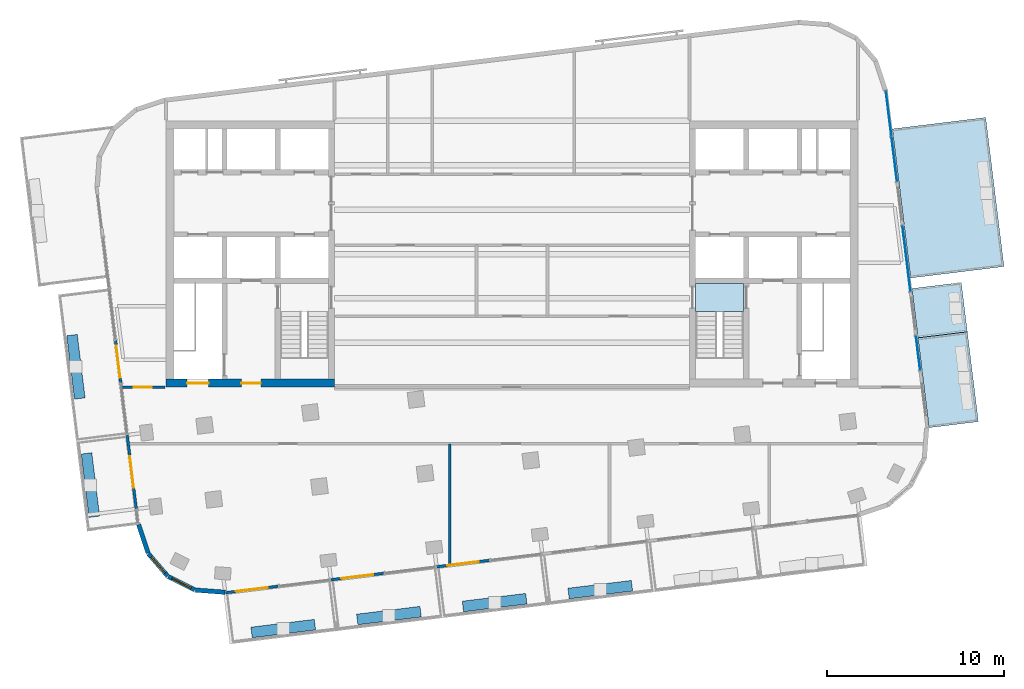
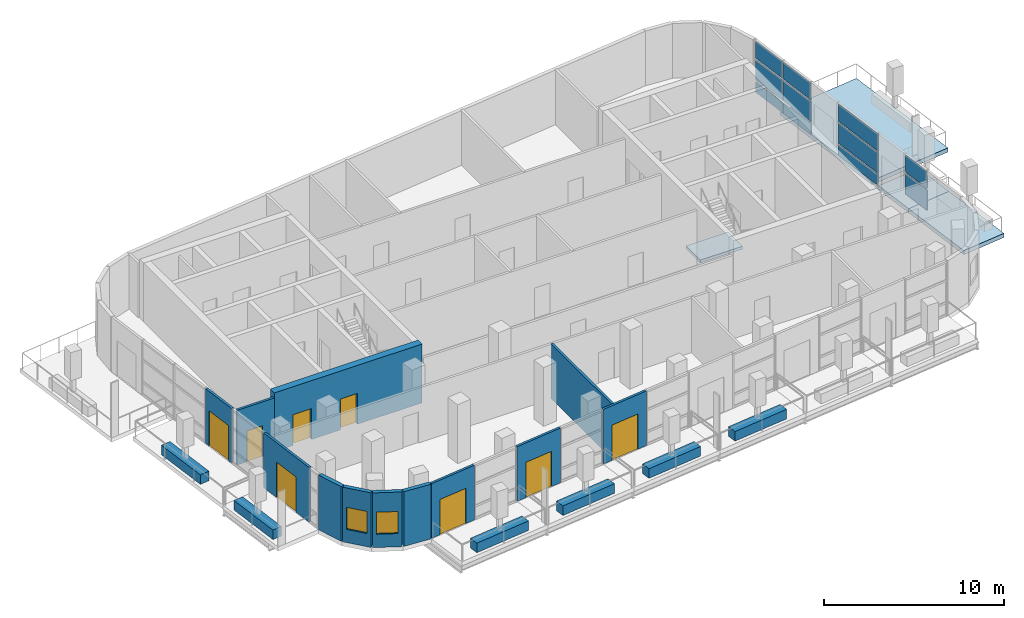
# One storey, part 6 of 13: 18 walls, 11 plates, 8 doors, 4 slabs, 2 windows, 10 openings, 4 elements without a shape of their own.
"""IFC4 building model written with IfcOpenShell, lengths in metres."""

from ifc_helpers import new_model, si_unit, direction, frame, frame_2d, origin, origin_2d, place, context, subcontext, project, spatial, polyline, rectangle, outline, extrude, material, layer, layer_set, type_object, element, fill, aggregate, save


model = new_model("IFC4")

# Units and contexts
model_context = context("Model", 3, precision=1e-05, world=origin(), true_north=direction((0.0, 1.0)))
body_context = subcontext(model_context, "Body", "Model", "MODEL_VIEW")
ifc_project = project(units=[si_unit("LENGTHUNIT", "METRE"), si_unit("AREAUNIT", "SQUARE_METRE"), si_unit("VOLUMEUNIT", "CUBIC_METRE"), si_unit("PLANEANGLEUNIT", "RADIAN"), si_unit("MASSUNIT", "GRAM", prefix="KILO")], contexts=[model_context])

# Site, building, storey
site_placement = place(None, origin())
site = spatial("IfcSite", under=ifc_project, at=site_placement, CompositionType="ELEMENT")
building_placement = place(site_placement, origin())
building = spatial("IfcBuilding", under=site, at=building_placement, Name="Torana Hotel and Residences", CompositionType="ELEMENT")
storey_placement = place(building_placement, frame((0.0, 0.0, 342.60009765625)))
storey = spatial("IfcBuildingStorey", under=building, at=storey_placement, Name="L90", CompositionType="ELEMENT", Elevation=342.60009765625)

# Slabs
ifc_material_1 = material(Name="Concrete C40/50", Category="concrete")
ifc_layer_1 = layer(ifc_material_1, 0.280029296875)
ifc_layer_set_1 = layer_set([ifc_layer_1], Name="BAL1 BALCONY SLAB 280")
slab_type_1 = type_object("IfcSlabType", Name="BAL1 BALCONY SLAB 280", PredefinedType="USERDEFINED", material=ifc_layer_set_1)
slab_1_placement = place(storey_placement, frame((0.0, 0.0, -0.280029296875)))
element("IfcSlab", 1, at=slab_1_placement, inside=storey, type_object=slab_type_1, Name="Balcony 10", ObjectType="BALCONY", PredefinedType="USERDEFINED", context=body_context, shape_type="SweptSolid", body=[
    extrude(outline(polyline([(23.502197265625, -17.286376953125), (26.281494140625, -16.945068359375), (25.659912109375, -11.88330078125), (22.880615234375, -12.224365234375), (23.502197265625, -17.286376953125)])), origin(), (0.0, 0.0, 1.0), 0.280029296875),
])
slab_2_placement = place(storey_placement, frame((0.0, 0.0, -0.280029296875)))
element("IfcSlab", 2, at=slab_2_placement, inside=storey, type_object=slab_type_1, Name="Balcony 11", ObjectType="BALCONY", PredefinedType="USERDEFINED", context=body_context, shape_type="SweptSolid", body=[
    extrude(outline(polyline([(22.880615234375, -12.224365234375), (25.659912109375, -11.88330078125), (25.318603515625, -9.104248046875), (22.53955078125, -9.445556640625), (22.880615234375, -12.224365234375)])), origin(), (0.0, 0.0, 1.0), 0.280029296875),
])
slab_3_placement = place(storey_placement, frame((0.0, 0.0, -0.280029296875)))
element("IfcSlab", 3, at=slab_3_placement, inside=storey, type_object=slab_type_1, Name="Balcony 12", ObjectType="BALCONY", PredefinedType="USERDEFINED", context=body_context, shape_type="SweptSolid", body=[
    extrude(outline(polyline([(22.46630859375, -8.85009765625), (27.726806640625, -8.2041015625), (26.695556640625, 0.19580078125), (21.43505859375, -0.449951171875), (22.46630859375, -8.85009765625)])), origin(), (0.0, 0.0, 1.0), 0.280029296875),
])

# Curtain wall, plates
ifc_material_2 = material(Name="Dark anodised aluminium", Category="aluminium")
ifc_layer_2 = layer(ifc_material_2, 0.199951171875)
ifc_layer_set_2 = layer_set([ifc_layer_2], Name="CW3 SKY CLUB UNITISED CURTAIN WALL")
curtain_wall_type = type_object("IfcCurtainWallType", Name="CW3 SKY CLUB UNITISED CURTAIN WALL", PredefinedType="NOTDEFINED", material=ifc_layer_set_2)
curtain_wall_1_placement = place(storey_placement, origin())
curtain_wall_1 = element("IfcCurtainWall", 4, at=curtain_wall_1_placement, inside=storey, type_object=curtain_wall_type, Name="Curtain wall CW3 L90 e0.19-2", PredefinedType="NOTDEFINED")
ifc_material_3 = material(Name="Glass dark tinted double glazed unit", Category="glass")
ifc_layer_3 = layer(ifc_material_3, 0.031982421875)
ifc_layer_set_3 = layer_set([ifc_layer_3], Name="CW3 DARK GLASS PANEL 32")
plate_type = type_object("IfcPlateType", Name="CW3 DARK GLASS PANEL 32", PredefinedType="CURTAIN_PANEL", material=ifc_layer_set_3)
plate_1_placement = place(storey_placement, frame((22.885009765625, -13.080322265625, 0.9599609375), z_axis=(0.0, 0.0, 1.0), x_axis=(-0.121912701141, 0.992540827019, 0.0)))
plate_1 = element("IfcPlate", 5, at=plate_1_placement, type_object=plate_type, Name="CW3 panel 1.2", PredefinedType="CURTAIN_PANEL", context=body_context, shape_type="SweptSolid", body=[
    extrude(rectangle(XDim=1.9599609375, YDim=0.031982421875, at=origin_2d()), origin(), (0.0, 0.0, 1.0), 1.3798828125),
])
plate_2_placement = place(storey_placement, frame((22.885009765625, -13.080322265625, 2.4599609375), z_axis=(0.0, 0.0, 1.0), x_axis=(-0.121912701141, 0.992540827019, 0.0)))
plate_2 = element("IfcPlate", 6, at=plate_2_placement, type_object=plate_type, Name="CW3 panel 1.3", PredefinedType="CURTAIN_PANEL", context=body_context, shape_type="SweptSolid", body=[
    extrude(rectangle(XDim=1.9599609375, YDim=0.031982421875, at=origin_2d()), origin(), (0.0, 0.0, 1.0), 1.139892578125),
])
aggregate(curtain_wall_1, [plate_1, plate_2])

curtain_wall_2_placement = place(storey_placement, origin())
curtain_wall_2 = element("IfcCurtainWall", 7, at=curtain_wall_2_placement, inside=storey, type_object=curtain_wall_type, Name="Curtain wall CW3 L90 e0.19-4", PredefinedType="NOTDEFINED")
plate_3_placement = place(storey_placement, frame((22.231201171875, -7.754638671875, 0.1201171875), z_axis=(0.0, 0.0, 1.0), x_axis=(-0.121885437403, 0.992544175414, 0.0)))
plate_3 = element("IfcPlate", 8, at=plate_3_placement, type_object=plate_type, Name="CW3 panel 1.1", PredefinedType="CURTAIN_PANEL", context=body_context, shape_type="SweptSolid", body=[
    extrude(rectangle(XDim=3.69140625, YDim=0.031982421875, at=origin_2d()), origin(), (0.0, 0.0, 1.0), 0.719970703125),
])
plate_4_placement = place(storey_placement, frame((22.231201171875, -7.754638671875, 0.9599609375), z_axis=(0.0, 0.0, 1.0), x_axis=(-0.121885437403, 0.992544175414, 0.0)))
plate_4 = element("IfcPlate", 9, at=plate_4_placement, type_object=plate_type, Name="CW3 panel 1.2", PredefinedType="CURTAIN_PANEL", context=body_context, shape_type="SweptSolid", body=[
    extrude(rectangle(XDim=3.69140625, YDim=0.031982421875, at=origin_2d()), origin(), (0.0, 0.0, 1.0), 1.3798828125),
])
plate_5_placement = place(storey_placement, frame((22.231201171875, -7.754638671875, 2.4599609375), z_axis=(0.0, 0.0, 1.0), x_axis=(-0.121885437403, 0.992544175414, 0.0)))
plate_5 = element("IfcPlate", 10, at=plate_5_placement, type_object=plate_type, Name="CW3 panel 1.3", PredefinedType="CURTAIN_PANEL", context=body_context, shape_type="SweptSolid", body=[
    extrude(rectangle(XDim=3.69140625, YDim=0.031982421875, at=origin_2d()), origin(), (0.0, 0.0, 1.0), 1.139892578125),
])
aggregate(curtain_wall_2, [plate_3, plate_4, plate_5])

curtain_wall_3_placement = place(storey_placement, origin())
curtain_wall_3 = element("IfcCurtainWall", 11, at=curtain_wall_3_placement, inside=storey, type_object=curtain_wall_type, Name="Curtain wall CW3 L90 e0.19-6", PredefinedType="NOTDEFINED")
plate_6_placement = place(storey_placement, frame((21.543212890625, -2.152587890625, 0.1201171875), z_axis=(0.0, 0.0, 1.0), x_axis=(-0.121870538273, 0.992546004929, 0.0)))
plate_6 = element("IfcPlate", 12, at=plate_6_placement, type_object=plate_type, Name="CW3 panel 1.1", PredefinedType="CURTAIN_PANEL", context=body_context, shape_type="SweptSolid", body=[
    extrude(rectangle(XDim=2.51708984375, YDim=0.031982421875, at=origin_2d()), origin(), (0.0, 0.0, 1.0), 0.719970703125),
])
plate_7_placement = place(storey_placement, frame((21.543212890625, -2.152587890625, 0.9599609375), z_axis=(0.0, 0.0, 1.0), x_axis=(-0.121870538273, 0.992546004929, 0.0)))
plate_7 = element("IfcPlate", 13, at=plate_7_placement, type_object=plate_type, Name="CW3 panel 1.2", PredefinedType="CURTAIN_PANEL", context=body_context, shape_type="SweptSolid", body=[
    extrude(rectangle(XDim=2.51708984375, YDim=0.031982421875, at=origin_2d()), origin(), (0.0, 0.0, 1.0), 1.3798828125),
])
plate_8_placement = place(storey_placement, frame((21.543212890625, -2.152587890625, 2.4599609375), z_axis=(0.0, 0.0, 1.0), x_axis=(-0.121870538273, 0.992546004929, 0.0)))
plate_8 = element("IfcPlate", 14, at=plate_8_placement, type_object=plate_type, Name="CW3 panel 1.3", PredefinedType="CURTAIN_PANEL", context=body_context, shape_type="SweptSolid", body=[
    extrude(rectangle(XDim=2.51708984375, YDim=0.031982421875, at=origin_2d()), origin(), (0.0, 0.0, 1.0), 1.139892578125),
])
plate_9_placement = place(storey_placement, frame((21.22802734375, 0.415283203125, 0.1201171875), z_axis=(0.0, 0.0, 1.0), x_axis=(-0.121870538273, 0.992546004929, 0.0)))
plate_9 = element("IfcPlate", 15, at=plate_9_placement, type_object=plate_type, Name="CW3 panel 2.1", PredefinedType="CURTAIN_PANEL", context=body_context, shape_type="SweptSolid", body=[
    extrude(rectangle(XDim=2.51708984375, YDim=0.031982421875, at=origin_2d()), origin(), (0.0, 0.0, 1.0), 0.719970703125),
])
plate_10_placement = place(storey_placement, frame((21.22802734375, 0.415283203125, 0.9599609375), z_axis=(0.0, 0.0, 1.0), x_axis=(-0.121870538273, 0.992546004929, 0.0)))
plate_10 = element("IfcPlate", 16, at=plate_10_placement, type_object=plate_type, Name="CW3 panel 2.2", PredefinedType="CURTAIN_PANEL", context=body_context, shape_type="SweptSolid", body=[
    extrude(rectangle(XDim=2.51708984375, YDim=0.031982421875, at=origin_2d()), origin(), (0.0, 0.0, 1.0), 1.3798828125),
])
plate_11_placement = place(storey_placement, frame((21.22802734375, 0.415283203125, 2.4599609375), z_axis=(0.0, 0.0, 1.0), x_axis=(-0.121870538273, 0.992546004929, 0.0)))
plate_11 = element("IfcPlate", 17, at=plate_11_placement, type_object=plate_type, Name="CW3 panel 2.3", PredefinedType="CURTAIN_PANEL", context=body_context, shape_type="SweptSolid", body=[
    extrude(rectangle(XDim=2.51708984375, YDim=0.031982421875, at=origin_2d()), origin(), (0.0, 0.0, 1.0), 1.139892578125),
])
aggregate(curtain_wall_3, [plate_6, plate_7, plate_8, plate_9, plate_10, plate_11])

# Stair, slab
ifc_material_4 = material(Name="Concrete C40/50 precast", Category="concrete")
stair_type = type_object("IfcStairType", Name="STAIR ST3 HALF TURN 1200", PredefinedType="HALF_TURN_STAIR", material=ifc_material_4)
stair_placement = place(storey_placement, origin())
stair = element("IfcStair", 18, at=stair_placement, inside=storey, type_object=stair_type, Name="Stair ST3 L90", PredefinedType="HALF_TURN_STAIR")
ifc_material_5 = material(Name="Concrete C40/50 precast", Category="concrete")
ifc_layer_4 = layer(ifc_material_5, 0.199951171875)
ifc_layer_set_4 = layer_set([ifc_layer_4], Name="STAIR LANDING 200")
slab_type_2 = type_object("IfcSlabType", Name="STAIR LANDING 200", PredefinedType="LANDING", material=ifc_layer_set_4)
slab_4_placement = place(storey_placement, frame((0.0, 0.0, -0.2001953125)))
slab_4 = element("IfcSlab", 19, at=slab_4_placement, type_object=slab_type_2, Name="ST3 landing 2", PredefinedType="LANDING", context=body_context, shape_type="SweptSolid", body=[
    extrude(outline(polyline([(10.35009765625, -10.75), (13.050048828125, -10.75), (13.050048828125, -9.14990234375), (10.35009765625, -9.14990234375), (10.35009765625, -10.75)])), origin(), (0.0, 0.0, 1.0), 0.2001953125),
])
aggregate(stair, [slab_4])

# Wall, openings, doors
ifc_material_6 = material(Name="Concrete C60/75", Category="concrete")
ifc_layer_5 = layer(ifc_material_6, 0.449951171875)
ifc_layer_set_5 = layer_set([ifc_layer_5], Name="CORE WALL 450 C60/75")
wall_type_1 = type_object("IfcWallType", Name="CORE WALL 450 C60/75", PredefinedType="SHEAR", material=ifc_layer_set_5)
wall_1_placement = place(storey_placement, frame((-19.5, -14.77490234375, 0.0), z_axis=(0.0, 0.0, 1.0), x_axis=(1.0, 0.0, 0.0)))
wall_1 = element("IfcWall", 20, at=wall_1_placement, inside=storey, type_object=wall_type_1, Name="Core wall W front", PredefinedType="SHEAR", context=body_context, shape_type="SweptSolid", body=[
    extrude(rectangle(XDim=9.5, YDim=0.449951171875, at=frame_2d((4.75, 0.0))), origin(), (0.0, 0.0, 1.0), 4.0),
])
opening_1_placement = place(wall_1_placement, frame((1.199951171875, 0.0, 0.0)))
opening_1 = element("IfcOpeningElement", 21, at=opening_1_placement, cuts=wall_1, Name="Opening L90-04", PredefinedType="OPENING", context=body_context, shape_type="SweptSolid", body=[
    extrude(rectangle(XDim=1.199951171875, YDim=2.10009765625, at=frame_2d((0.60009765625, 1.050048828125))), frame((0.0, 0.23486328125, 0.0), z_axis=(0.0, -1.0, 0.0), x_axis=(1.0, 0.0, 0.0)), (0.0, 0.0, 1.0), 0.469970703125),
])
opening_2_placement = place(wall_1_placement, frame((4.25, 0.0, 0.0)))
opening_2 = element("IfcOpeningElement", 22, at=opening_2_placement, cuts=wall_1, Name="Opening L90-05", PredefinedType="OPENING", context=body_context, shape_type="SweptSolid", body=[
    extrude(rectangle(XDim=1.10009765625, YDim=2.10009765625, at=frame_2d((0.550048828125, 1.050048828125))), frame((0.0, 0.23486328125, 0.0), z_axis=(0.0, -1.0, 0.0), x_axis=(1.0, 0.0, 0.0)), (0.0, 0.0, 1.0), 0.469970703125),
])
ifc_material_7 = material(Name="Steel S235", Category="steel")
door_type_1 = type_object("IfcDoorType", Name="FIRE-FIGHTING LOBBY DOOR D8 1100x2100", OperationType="SINGLE_SWING_LEFT", PredefinedType="DOOR", material=ifc_material_7)
door_1_placement = place(opening_2_placement, origin())
door_1 = element("IfcDoor", 23, at=door_1_placement, inside=storey, type_object=door_type_1, Name="FF-lobby door L90", OperationType="SINGLE_SWING_RIGHT", OverallHeight=2.10009765625, OverallWidth=1.10009765625, PredefinedType="DOOR", context=body_context, shape_type="SweptSolid", body=[
    extrude(rectangle(XDim=1.10009765625, YDim=2.10009765625, at=frame_2d((0.550048828125, 1.050048828125))), frame((0.0, 0.02490234375, 0.0), z_axis=(0.0, -1.0, 0.0), x_axis=(1.0, 0.0, 0.0)), (0.0, 0.0, 1.0), 0.050048828125),
])
fill(opening_2, door_1)
ifc_material_8 = material(Name="Steel S235", Category="steel")
door_type_2 = type_object("IfcDoorType", Name="STAIR FIRE DOOR D3 1200x2100", OperationType="SINGLE_SWING_LEFT", PredefinedType="DOOR", material=ifc_material_8)
door_2_placement = place(opening_1_placement, origin())
door_2 = element("IfcDoor", 24, at=door_2_placement, inside=storey, type_object=door_type_2, Name="Stair-B door L90", OperationType="SINGLE_SWING_RIGHT", OverallHeight=2.10009765625, OverallWidth=1.199951171875, PredefinedType="DOOR", context=body_context, shape_type="SweptSolid", body=[
    extrude(rectangle(XDim=1.199951171875, YDim=2.10009765625, at=frame_2d((0.60009765625, 1.050048828125))), frame((0.0, 0.02490234375, 0.0), z_axis=(0.0, -1.0, 0.0), x_axis=(1.0, 0.0, 0.0)), (0.0, 0.0, 1.0), 0.050048828125),
])
fill(opening_1, door_2)

# Wall
ifc_material_9 = material(Name="Black aluminium composite panel", Category="aluminium")
ifc_layer_6 = layer(ifc_material_9, 0.00390625, Name="Cladding", Category="cladding")
ifc_material_10 = material(Name="Ventilated air cavity")
ifc_layer_7 = layer(ifc_material_10, 0.0400390625, Name="Ventilated cavity", Category="cavity")
ifc_material_11 = material(Name="Mineral wool insulation")
ifc_layer_8 = layer(ifc_material_11, 0.090087890625, Name="Insulation", Category="insulation")
ifc_material_12 = material(Name="Steel S280GD", Category="steel")
ifc_layer_9 = layer(ifc_material_12, 0.092041015625, Name="Steel stud frame", Category="structure")
ifc_material_13 = material(Name="Fire rated plasterboard")
ifc_layer_10 = layer(ifc_material_13, 0.011962890625, Name="Inner board", Category="finish")
ifc_layer_11 = layer(ifc_material_13, 0.011962890625, Name="Second board", Category="finish")
ifc_layer_set_6 = layer_set([ifc_layer_6, ifc_layer_7, ifc_layer_8, ifc_layer_9, ifc_layer_10, ifc_layer_11], Name="EW1 EXTERNAL WALL BLACK METAL CLAD 250")
wall_type_2 = type_object("IfcWallType", Name="EW1 EXTERNAL WALL BLACK METAL CLAD 250", PredefinedType="SOLIDWALL", material=ifc_layer_set_6)
wall_2_placement = place(storey_placement, frame((-21.035888671875, -22.754638671875, 0.0), z_axis=(0.0, 0.0, 1.0), x_axis=(0.313046160822, -0.949737911844, 0.0)))
element("IfcWall", 25, at=wall_2_placement, inside=storey, type_object=wall_type_2, Name="External wall L90 e0.10", PredefinedType="SOLIDWALL", context=body_context, shape_type="SweptSolid", body=[
    extrude(rectangle(XDim=1.681396484375, YDim=0.25, at=frame_2d((0.8408203125, 0.0))), origin(), (0.0, 0.0, 1.0), 3.719970703125),
])

# Wall, opening, window
wall_3_placement = place(storey_placement, frame((-20.4853515625, -24.39404296875, 0.0), z_axis=(0.0, 0.0, 1.0), x_axis=(0.652755886531, -0.757568315466, 0.0)))
wall_3 = element("IfcWall", 26, at=wall_3_placement, inside=storey, type_object=wall_type_2, Name="External wall L90 e0.11", PredefinedType="SOLIDWALL", context=body_context, shape_type="SweptSolid", body=[
    extrude(rectangle(XDim=1.65625, YDim=0.25, at=frame_2d((0.828125, 0.0))), origin(), (0.0, 0.0, 1.0), 3.719970703125),
])
opening_3_placement = place(wall_3_placement, frame((0.228271484375, 0.0, 0.89990234375)))
opening_3 = element("IfcOpeningElement", 27, at=opening_3_placement, cuts=wall_3, Name="Opening W5", PredefinedType="OPENING", context=body_context, shape_type="SweptSolid", body=[
    extrude(rectangle(XDim=1.199951171875, YDim=1.5, at=frame_2d((0.60009765625, 0.75))), frame((0.0, 0.135009765625, 0.0), z_axis=(0.0, -1.0, 0.0), x_axis=(1.0, 0.0, 0.0)), (0.0, 0.0, 1.0), 0.27001953125),
])
ifc_material_14 = material(Name="Dark glass in black aluminium frame", Category="aluminium")
window_type = type_object("IfcWindowType", Name="W5 CORNER FACET WINDOW 1200x1500", PartitioningType="SINGLE_PANEL", PredefinedType="WINDOW", material=ifc_material_14)
window_1_placement = place(opening_3_placement, origin())
window_1 = element("IfcWindow", 28, at=window_1_placement, inside=storey, type_object=window_type, Name="Window L90 e0.11", OverallHeight=1.5, OverallWidth=1.199951171875, PartitioningType="SINGLE_PANEL", PredefinedType="WINDOW", context=body_context, shape_type="SweptSolid", body=[
    extrude(rectangle(XDim=1.199951171875, YDim=1.5, at=frame_2d((0.60009765625, 0.75))), frame((0.0, 0.030029296875, 0.0), z_axis=(0.0, -1.0, 0.0), x_axis=(1.0, 0.0, 0.0)), (0.0, 0.0, 1.0), 0.06005859375),
])
fill(opening_3, window_1)

wall_4_placement = place(storey_placement, frame((-19.36572265625, -25.678955078125, 0.0), z_axis=(0.0, 0.0, 1.0), x_axis=(0.893007580524, -0.450041621549, 0.0)))
wall_4 = element("IfcWall", 29, at=wall_4_placement, inside=storey, type_object=wall_type_2, Name="External wall L90 e0.12", PredefinedType="SOLIDWALL", context=body_context, shape_type="SweptSolid", body=[
    extrude(rectangle(XDim=1.65625, YDim=0.25, at=frame_2d((0.828125, 0.0))), origin(), (0.0, 0.0, 1.0), 3.719970703125),
])
opening_4_placement = place(wall_4_placement, frame((0.228271484375, 0.0, 0.89990234375)))
opening_4 = element("IfcOpeningElement", 30, at=opening_4_placement, cuts=wall_4, Name="Opening W5", PredefinedType="OPENING", context=body_context, shape_type="SweptSolid", body=[
    extrude(rectangle(XDim=1.199951171875, YDim=1.5, at=frame_2d((0.60009765625, 0.75))), frame((0.0, 0.135009765625, 0.0), z_axis=(0.0, -1.0, 0.0), x_axis=(1.0, 0.0, 0.0)), (0.0, 0.0, 1.0), 0.27001953125),
])
window_2_placement = place(opening_4_placement, origin())
window_2 = element("IfcWindow", 31, at=window_2_placement, inside=storey, type_object=window_type, Name="Window L90 e0.12", OverallHeight=1.5, OverallWidth=1.199951171875, PartitioningType="SINGLE_PANEL", PredefinedType="WINDOW", context=body_context, shape_type="SweptSolid", body=[
    extrude(rectangle(XDim=1.199951171875, YDim=1.5, at=frame_2d((0.60009765625, 0.75))), frame((0.0, 0.030029296875, 0.0), z_axis=(0.0, -1.0, 0.0), x_axis=(1.0, 0.0, 0.0)), (0.0, 0.0, 1.0), 0.06005859375),
])
fill(opening_4, window_2)

# Wall
wall_5_placement = place(storey_placement, frame((-17.839599609375, -26.4375, 0.0), z_axis=(0.0, 0.0, 1.0), x_axis=(0.997254267475, -0.074053534713, 0.0)))
element("IfcWall", 32, at=wall_5_placement, inside=storey, type_object=wall_type_2, Name="External wall L90 e0.13", PredefinedType="SOLIDWALL", context=body_context, shape_type="SweptSolid", body=[
    extrude(rectangle(XDim=1.681396484375, YDim=0.25, at=frame_2d((0.8408203125, 0.0))), origin(), (0.0, 0.0, 1.0), 3.719970703125),
])

# Wall, opening, door
ifc_material_15 = material(Name="Gypsum plaster")
ifc_layer_12 = layer(ifc_material_15, 0.014892578125, Name="Plaster", Category="finish")
ifc_material_16 = material(Name="Concrete blockwork", Category="masonry")
ifc_layer_13 = layer(ifc_material_16, 0.1201171875, Name="Blockwork", Category="structure")
ifc_layer_14 = layer(ifc_material_15, 0.014892578125, Name="Plaster", Category="finish")
ifc_layer_set_7 = layer_set([ifc_layer_12, ifc_layer_13, ifc_layer_14], Name="FIRE PARTITION 150 BLOCKWORK")
wall_type_3 = type_object("IfcWallType", Name="FIRE PARTITION 150 BLOCKWORK", PredefinedType="PARTITIONING", material=ifc_layer_set_7)
wall_6_placement = place(storey_placement, frame((-21.93505859375, -15.0, 0.0), z_axis=(0.0, 0.0, 1.0), x_axis=(1.0, 0.0, 0.0)))
wall_6 = element("IfcWall", 33, at=wall_6_placement, inside=storey, type_object=wall_type_3, Name="Partition L90", PredefinedType="PARTITIONING", context=body_context, shape_type="SweptSolid", body=[
    extrude(rectangle(XDim=2.385009765625, YDim=0.14990234375, at=frame_2d((1.1923828125, 0.0))), origin(), (0.0, 0.0, 1.0), 3.719970703125),
])
opening_5_placement = place(wall_6_placement, frame((0.626953125, 0.0, 0.0)))
opening_5 = element("IfcOpeningElement", 34, at=opening_5_placement, cuts=wall_6, Name="Opening L90-24", PredefinedType="OPENING", context=body_context, shape_type="SweptSolid", body=[
    extrude(rectangle(XDim=1.0, YDim=2.10009765625, at=frame_2d((0.5, 1.050048828125))), frame((0.0, 0.0849609375, 0.0), z_axis=(0.0, -1.0, 0.0), x_axis=(1.0, 0.0, 0.0)), (0.0, 0.0, 1.0), 0.169921875),
])
ifc_material_17 = material(Name="Steel S235", Category="steel")
door_type_3 = type_object("IfcDoorType", Name="CORE ROOM FIRE DOOR D14 1000x2100", OperationType="SINGLE_SWING_LEFT", PredefinedType="DOOR", material=ifc_material_17)
door_3_placement = place(opening_5_placement, origin())
door_3 = element("IfcDoor", 35, at=door_3_placement, inside=storey, type_object=door_type_3, Name="Door L90", OperationType="SINGLE_SWING_RIGHT", OverallHeight=2.10009765625, OverallWidth=1.0, PredefinedType="DOOR", context=body_context, shape_type="SweptSolid", body=[
    extrude(rectangle(XDim=1.0, YDim=2.10009765625, at=frame_2d((0.5, 1.050048828125))), frame((0.0, 0.02490234375, 0.0), z_axis=(0.0, -1.0, 0.0), x_axis=(1.0, 0.0, 0.0)), (0.0, 0.0, 1.0), 0.050048828125),
])
fill(opening_5, door_3)

ifc_material_18 = material(Name="Dark glass screen in aluminium frame", Category="aluminium")
ifc_layer_15 = layer(ifc_material_18, 0.14990234375)
ifc_layer_set_8 = layer_set([ifc_layer_15], Name="GS1 GLAZED DOOR SCREEN 150")
wall_type_4 = type_object("IfcWallType", Name="GS1 GLAZED DOOR SCREEN 150", PredefinedType="USERDEFINED", material=ifc_layer_set_8)
wall_7_placement = place(storey_placement, frame((-22.338134765625, -12.373779296875, 0.0), z_axis=(0.0, 0.0, 1.0), x_axis=(0.121868445399, -0.992546261902, 0.0)))
wall_7 = element("IfcWall", 36, at=wall_7_placement, inside=storey, type_object=wall_type_4, Name="Glazed door screen L90", ObjectType="GLAZED SCREEN", PredefinedType="USERDEFINED", context=body_context, shape_type="SweptSolid", body=[
    extrude(rectangle(XDim=2.39990234375, YDim=0.14990234375, at=frame_2d((1.199951171875, 0.0))), origin(), (0.0, 0.0, 1.0), 3.719970703125),
])
opening_6_placement = place(wall_7_placement, frame((0.300048828125, 0.0, 0.0)))
opening_6 = element("IfcOpeningElement", 37, at=opening_6_placement, cuts=wall_7, Name="Opening L90-E02", PredefinedType="OPENING", context=body_context, shape_type="SweptSolid", body=[
    extrude(rectangle(XDim=1.800048828125, YDim=2.39990234375, at=frame_2d((0.89990234375, 1.199951171875))), frame((0.0, 0.0849609375, 0.0), z_axis=(0.0, -1.0, 0.0), x_axis=(1.0, 0.0, 0.0)), (0.0, 0.0, 1.0), 0.169921875),
])
ifc_material_19 = material(Name="Dark glass in black aluminium frame", Category="aluminium")
door_type_4 = type_object("IfcDoorType", Name="DB1 BALCONY DOOR 1800x2400", OperationType="DOUBLE_DOOR_SINGLE_SWING", PredefinedType="DOOR", material=ifc_material_19)
door_4_placement = place(opening_6_placement, origin())
door_4 = element("IfcDoor", 38, at=door_4_placement, inside=storey, type_object=door_type_4, Name="Balcony door L90", OperationType="DOUBLE_DOOR_SINGLE_SWING", OverallHeight=2.39990234375, OverallWidth=1.800048828125, PredefinedType="DOOR", context=body_context, shape_type="SweptSolid", body=[
    extrude(rectangle(XDim=1.800048828125, YDim=2.39990234375, at=frame_2d((0.89990234375, 1.199951171875))), frame((0.0, 0.02490234375, 0.0), z_axis=(0.0, -1.0, 0.0), x_axis=(1.0, 0.0, 0.0)), (0.0, 0.0, 1.0), 0.050048828125),
])
fill(opening_6, door_4)

wall_8_placement = place(storey_placement, frame((-21.6845703125, -17.6962890625, 0.0), z_axis=(0.0, 0.0, 1.0), x_axis=(0.121895320106, -0.992542961758, 0.0)))
wall_8 = element("IfcWall", 39, at=wall_8_placement, inside=storey, type_object=wall_type_4, Name="Glazed door screen L90", ObjectType="GLAZED SCREEN", PredefinedType="USERDEFINED", context=body_context, shape_type="SweptSolid", body=[
    extrude(rectangle(XDim=4.199951171875, YDim=0.14990234375, at=frame_2d((2.10009765625, 0.0))), origin(), (0.0, 0.0, 1.0), 3.719970703125),
])
opening_7_placement = place(wall_8_placement, frame((1.199951171875, 0.0, 0.0)))
opening_7 = element("IfcOpeningElement", 40, at=opening_7_placement, cuts=wall_8, Name="Opening L90-E03", PredefinedType="OPENING", context=body_context, shape_type="SweptSolid", body=[
    extrude(rectangle(XDim=1.800048828125, YDim=2.39990234375, at=frame_2d((0.89990234375, 1.199951171875))), frame((0.0, 0.0849609375, 0.0), z_axis=(0.0, -1.0, 0.0), x_axis=(1.0, 0.0, 0.0)), (0.0, 0.0, 1.0), 0.169921875),
])
door_5_placement = place(opening_7_placement, origin())
door_5 = element("IfcDoor", 41, at=door_5_placement, inside=storey, type_object=door_type_4, Name="Balcony door L90", OperationType="DOUBLE_DOOR_SINGLE_SWING", OverallHeight=2.39990234375, OverallWidth=1.800048828125, PredefinedType="DOOR", context=body_context, shape_type="SweptSolid", body=[
    extrude(rectangle(XDim=1.800048828125, YDim=2.39990234375, at=frame_2d((0.89990234375, 1.199951171875))), frame((0.0, 0.02490234375, 0.0), z_axis=(0.0, -1.0, 0.0), x_axis=(1.0, 0.0, 0.0)), (0.0, 0.0, 1.0), 0.050048828125),
])
fill(opening_7, door_5)

wall_9_placement = place(storey_placement, frame((-16.13525390625, -26.586181640625, 0.0), z_axis=(0.0, 0.0, 1.0), x_axis=(0.992549375183, 0.121843086893, 0.0)))
wall_9 = element("IfcWall", 42, at=wall_9_placement, inside=storey, type_object=wall_type_4, Name="Glazed door screen L90", ObjectType="GLAZED SCREEN", PredefinedType="USERDEFINED", context=body_context, shape_type="SweptSolid", body=[
    extrude(rectangle(XDim=2.9755859375, YDim=0.14990234375, at=frame_2d((1.48779296875, 0.0))), origin(), (0.0, 0.0, 1.0), 3.719970703125),
])
opening_8_placement = place(wall_9_placement, frame((0.587646484375, 0.0, 0.0)))
opening_8 = element("IfcOpeningElement", 43, at=opening_8_placement, cuts=wall_9, Name="Opening L90-E04", PredefinedType="OPENING", context=body_context, shape_type="SweptSolid", body=[
    extrude(rectangle(XDim=1.800048828125, YDim=2.39990234375, at=frame_2d((0.89990234375, 1.199951171875))), frame((0.0, 0.0849609375, 0.0), z_axis=(0.0, -1.0, 0.0), x_axis=(1.0, 0.0, 0.0)), (0.0, 0.0, 1.0), 0.169921875),
])
door_6_placement = place(opening_8_placement, origin())
door_6 = element("IfcDoor", 44, at=door_6_placement, inside=storey, type_object=door_type_4, Name="Balcony door L90", OperationType="DOUBLE_DOOR_SINGLE_SWING", OverallHeight=2.39990234375, OverallWidth=1.800048828125, PredefinedType="DOOR", context=body_context, shape_type="SweptSolid", body=[
    extrude(rectangle(XDim=1.800048828125, YDim=2.39990234375, at=frame_2d((0.89990234375, 1.199951171875))), frame((0.0, 0.02490234375, 0.0), z_axis=(0.0, -1.0, 0.0), x_axis=(1.0, 0.0, 0.0)), (0.0, 0.0, 1.0), 0.050048828125),
])
fill(opening_8, door_6)

wall_10_placement = place(storey_placement, frame((-10.204345703125, -25.85791015625, 0.0), z_axis=(0.0, 0.0, 1.0), x_axis=(0.99255088108, 0.121830819037, 0.0)))
wall_10 = element("IfcWall", 45, at=wall_10_placement, inside=storey, type_object=wall_type_4, Name="Glazed door screen L90", ObjectType="GLAZED SCREEN", PredefinedType="USERDEFINED", context=body_context, shape_type="SweptSolid", body=[
    extrude(rectangle(XDim=3.0, YDim=0.14990234375, at=frame_2d((1.5, 0.0))), origin(), (0.0, 0.0, 1.0), 3.719970703125),
])
opening_9_placement = place(wall_10_placement, frame((0.60009765625, 0.0, 0.0)))
opening_9 = element("IfcOpeningElement", 46, at=opening_9_placement, cuts=wall_10, Name="Opening L90-E05", PredefinedType="OPENING", context=body_context, shape_type="SweptSolid", body=[
    extrude(rectangle(XDim=1.800048828125, YDim=2.39990234375, at=frame_2d((0.89990234375, 1.199951171875))), frame((0.0, 0.0849609375, 0.0), z_axis=(0.0, -1.0, 0.0), x_axis=(1.0, 0.0, 0.0)), (0.0, 0.0, 1.0), 0.169921875),
])
door_7_placement = place(opening_9_placement, origin())
door_7 = element("IfcDoor", 47, at=door_7_placement, inside=storey, type_object=door_type_4, Name="Balcony door L90", OperationType="DOUBLE_DOOR_SINGLE_SWING", OverallHeight=2.39990234375, OverallWidth=1.800048828125, PredefinedType="DOOR", context=body_context, shape_type="SweptSolid", body=[
    extrude(rectangle(XDim=1.800048828125, YDim=2.39990234375, at=frame_2d((0.89990234375, 1.199951171875))), frame((0.0, 0.02490234375, 0.0), z_axis=(0.0, -1.0, 0.0), x_axis=(1.0, 0.0, 0.0)), (0.0, 0.0, 1.0), 0.050048828125),
])
fill(opening_9, door_7)

wall_11_placement = place(storey_placement, frame((-4.2490234375, -25.126708984375, 0.0), z_axis=(0.0, 0.0, 1.0), x_axis=(0.99255088108, 0.121830819037, 0.0)))
wall_11 = element("IfcWall", 48, at=wall_11_placement, inside=storey, type_object=wall_type_4, Name="Glazed door screen L90", ObjectType="GLAZED SCREEN", PredefinedType="USERDEFINED", context=body_context, shape_type="SweptSolid", body=[
    extrude(rectangle(XDim=3.0, YDim=0.14990234375, at=frame_2d((1.5, 0.0))), origin(), (0.0, 0.0, 1.0), 3.719970703125),
])
opening_10_placement = place(wall_11_placement, frame((0.60009765625, 0.0, 0.0)))
opening_10 = element("IfcOpeningElement", 49, at=opening_10_placement, cuts=wall_11, Name="Opening L90-E06", PredefinedType="OPENING", context=body_context, shape_type="SweptSolid", body=[
    extrude(rectangle(XDim=1.800048828125, YDim=2.39990234375, at=frame_2d((0.89990234375, 1.199951171875))), frame((0.0, 0.0849609375, 0.0), z_axis=(0.0, -1.0, 0.0), x_axis=(1.0, 0.0, 0.0)), (0.0, 0.0, 1.0), 0.169921875),
])
door_8_placement = place(opening_10_placement, origin())
door_8 = element("IfcDoor", 50, at=door_8_placement, inside=storey, type_object=door_type_4, Name="Balcony door L90", OperationType="DOUBLE_DOOR_SINGLE_SWING", OverallHeight=2.39990234375, OverallWidth=1.800048828125, PredefinedType="DOOR", context=body_context, shape_type="SweptSolid", body=[
    extrude(rectangle(XDim=1.800048828125, YDim=2.39990234375, at=frame_2d((0.89990234375, 1.199951171875))), frame((0.0, 0.02490234375, 0.0), z_axis=(0.0, -1.0, 0.0), x_axis=(1.0, 0.0, 0.0)), (0.0, 0.0, 1.0), 0.050048828125),
])
fill(opening_10, door_8)

# Walls
ifc_material_20 = material(Name="Gypsum plasterboard")
ifc_layer_16 = layer(ifc_material_20, 0.012451171875, Name="Plasterboard", Category="finish")
ifc_layer_17 = layer(ifc_material_20, 0.012451171875, Name="Plasterboard", Category="finish")
ifc_layer_18 = layer(ifc_material_12, 0.10009765625, Name="Steel studs with mineral wool", Category="insulation")
ifc_layer_19 = layer(ifc_material_20, 0.012451171875, Name="Plasterboard", Category="finish")
ifc_layer_20 = layer(ifc_material_20, 0.012451171875, Name="Plasterboard", Category="finish")
ifc_layer_set_9 = layer_set([ifc_layer_16, ifc_layer_17, ifc_layer_18, ifc_layer_19, ifc_layer_20], Name="PARTITION 150 PLASTERBOARD")
wall_type_5 = type_object("IfcWallType", Name="PARTITION 150 PLASTERBOARD", PredefinedType="PARTITIONING", material=ifc_layer_set_9)
wall_12_placement = place(storey_placement, frame((-3.501953125, -24.95458984375, 0.0), z_axis=(0.0, 0.0, 1.0), x_axis=(0.0, 1.0, 0.0)))
element("IfcWall", 51, at=wall_12_placement, inside=storey, type_object=wall_type_5, Name="Partition L90", PredefinedType="PARTITIONING", context=body_context, shape_type="SweptSolid", body=[
    extrude(rectangle(XDim=6.754638671875, YDim=0.14990234375, at=frame_2d((3.37744140625, 0.0))), origin(), (0.0, 0.0, 1.0), 3.719970703125),
])
ifc_material_21 = material(Name="Concrete C40/50 precast", Category="concrete")
ifc_layer_21 = layer(ifc_material_21, 0.10009765625, Name="Planter shell", Category="structure")
ifc_material_22 = material(Name="Root resistant membrane")
ifc_layer_22 = layer(ifc_material_22, 0.00390625, Name="Waterproofing membrane", Category="membrane")
ifc_material_23 = material(Name="Drainage board with filter fleece")
ifc_layer_23 = layer(ifc_material_23, 0.02001953125, Name="Drainage board", Category="drainage")
ifc_material_24 = material(Name="Growing medium")
ifc_layer_24 = layer(ifc_material_24, 0.47607421875, Name="Planting substrate", Category="soil")
ifc_layer_set_10 = layer_set([ifc_layer_21, ifc_layer_22, ifc_layer_23, ifc_layer_24], Name="PL1 BALCONY PLANTER 600")
wall_type_6 = type_object("IfcWallType", Name="PL1 BALCONY PLANTER 600", PredefinedType="USERDEFINED", material=ifc_layer_set_10)
for number, where, z_axis, x_axis, name in (
    (52, (-11.10302734375, -28.386474609375, 0.0), (0.0, 0.0, 1.0), (-0.992545758265, -0.121872547154, 0.0), "Planter 01"),
    (53, (-5.147705078125, -27.6552734375, 0.0), (0.0, 0.0, 1.0), (-0.992545758265, -0.121872547154, 0.0), "Planter 02"),
    (54, (0.8076171875, -26.924072265625, 0.0), (0.0, 0.0, 1.0), (-0.992545758265, -0.121872547154, 0.0), "Planter 03"),
):
    element("IfcWall", number, at=place(storey_placement, frame(where, z_axis=z_axis, x_axis=x_axis)), inside=storey, type_object=wall_type_6, Name=name, ObjectType="PLANTER", PredefinedType="USERDEFINED", context=body_context, shape_type="SweptSolid", body=[
        extrude(rectangle(XDim=3.599853515625, YDim=0.60009765625, at=frame_2d((1.7998046875, 0.0))), origin(), (0.0, 0.0, 1.0), 0.64990234375),
    ])
for number, where, z_axis, x_axis, name in (
    (55, (6.762939453125, -26.19287109375, 0.0), (0.0, 0.0, 1.0), (-0.992546765488, -0.121864343918, 0.0), "Planter 04"),
    (56, (-23.53662109375, -22.306396484375, 0.0), (0.0, 0.0, 1.0), (-0.121864343918, 0.992546765488, 0.0), "Planter 07"),
):
    element("IfcWall", number, at=place(storey_placement, frame(where, z_axis=z_axis, x_axis=x_axis)), inside=storey, type_object=wall_type_6, Name=name, ObjectType="PLANTER", PredefinedType="USERDEFINED", context=body_context, shape_type="SweptSolid", body=[
        extrude(rectangle(XDim=3.60009765625, YDim=0.60009765625, at=frame_2d((1.800048828125, 0.0))), origin(), (0.0, 0.0, 1.0), 0.64990234375),
    ])
wall_13_placement = place(storey_placement, frame((-24.354736328125, -15.643798828125, 0.0), z_axis=(0.0, 0.0, 1.0), x_axis=(-0.121872547154, 0.992545758265, 0.0)))
element("IfcWall", 57, at=wall_13_placement, inside=storey, type_object=wall_type_6, Name="Planter 08", ObjectType="PLANTER", PredefinedType="USERDEFINED", context=body_context, shape_type="SweptSolid", body=[
    extrude(rectangle(XDim=3.599853515625, YDim=0.60009765625, at=frame_2d((1.7998046875, 0.0))), origin(), (0.0, 0.0, 1.0), 0.64990234375),
])

save(model, "model.ifc")
